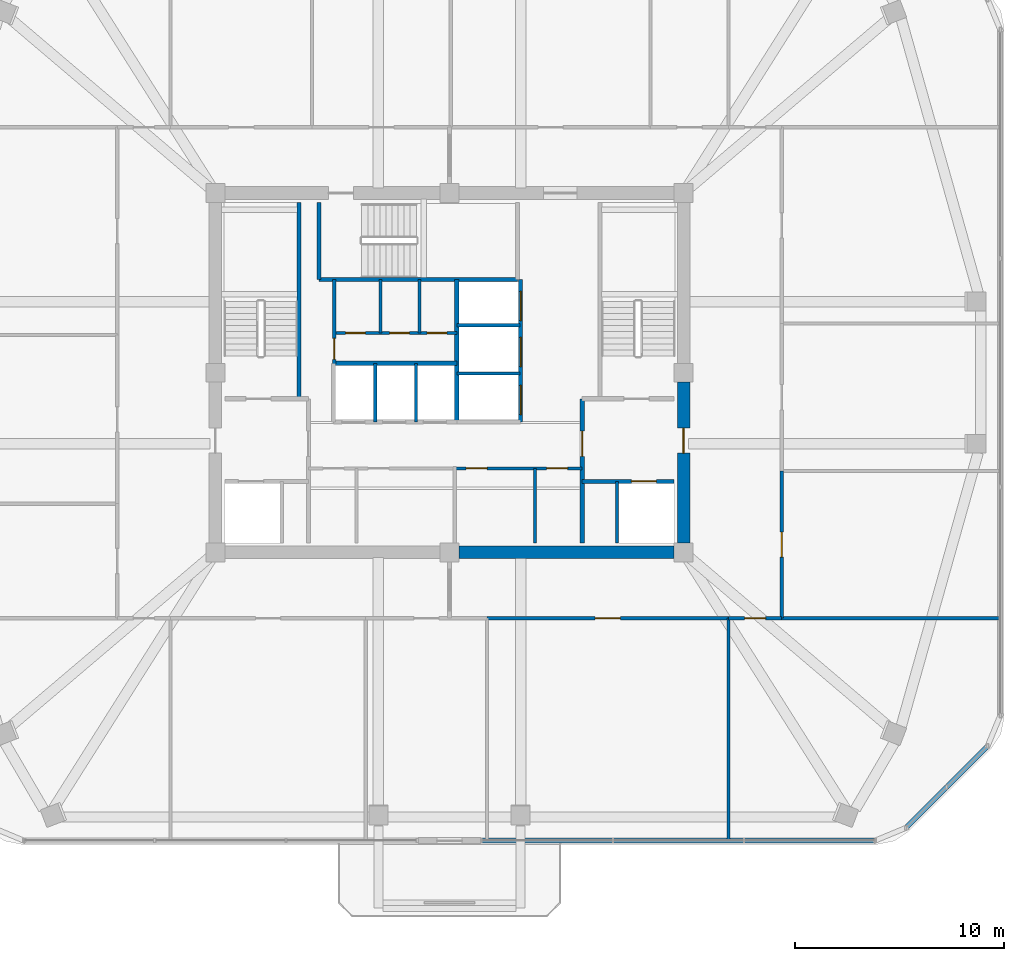
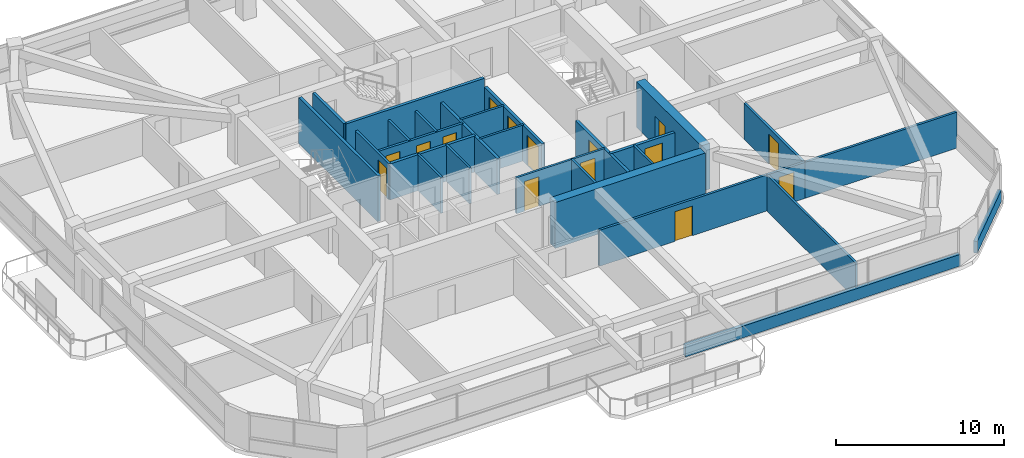
# One storey, part 9 of 13: 28 walls, 15 doors, 15 openings.
"""IFC4 building model written with IfcOpenShell, lengths in metres."""

from ifc_helpers import new_model, si_unit, derived_unit, direction, frame, frame_2d, origin, place, context, subcontext, project, spatial, rectangle, extrude, material, layer, layer_set, type_object, element, fill, save


model = new_model("IFC4")

# Units and contexts
model_context = context("Model", 3, precision=1e-05, world=origin(), true_north=direction((0.0, 1.0)))
body_context = subcontext(model_context, "Body", "Model", "MODEL_VIEW")
ifc_project = project(units=[si_unit("LENGTHUNIT", "METRE"), si_unit("AREAUNIT", "SQUARE_METRE"), si_unit("VOLUMEUNIT", "CUBIC_METRE"), si_unit("PLANEANGLEUNIT", "RADIAN"), si_unit("MASSUNIT", "GRAM", prefix="KILO"), derived_unit("THERMALTRANSMITTANCEUNIT", [(si_unit("POWERUNIT", "WATT"), 1), (si_unit("LENGTHUNIT", "METRE"), -2), (si_unit("THERMODYNAMICTEMPERATUREUNIT", "KELVIN"), -1)])], contexts=[model_context])

# Site, building, storey
site_placement = place(None, origin())
site = spatial("IfcSite", under=ifc_project, at=site_placement, CompositionType="ELEMENT")
building_placement = place(site_placement, origin())
building = spatial("IfcBuilding", under=site, at=building_placement, Name="Koralith Skygarden Medical Center", CompositionType="ELEMENT")
storey_placement = place(building_placement, frame((0.0, 0.0, 214.3798828125)))
storey = spatial("IfcBuildingStorey", under=building, at=storey_placement, Name="L55", CompositionType="ELEMENT", Elevation=214.3798828125)

# Wall, openings, doors
ifc_material_1 = material(Name="Gypsum Board Partition")
ifc_layer_1 = layer(ifc_material_1, 0.14990234375)
ifc_layer_set_1 = layer_set([ifc_layer_1], Name="Gypsum Board Partition")
wall_type_1 = type_object("IfcWallType", Name="Clinical Acoustic Partition 150", PredefinedType="PARTITIONING", material=ifc_layer_set_1)
wall_1_placement = place(storey_placement, frame((37.25, 21.320068359375, 0.0), z_axis=(0.0, 0.0, 1.0), x_axis=(1.0, 0.0, 0.0)))
wall_1 = element("IfcWall", 1, at=wall_1_placement, inside=storey, type_object=wall_type_1, Name="L55 Clinical Acoustic Partition 150 W-CORE-L55-FREED-MR-N", PredefinedType="PARTITIONING", context=body_context, shape_type="SweptSolid", body=[
    extrude(rectangle(XDim=6.10009765625, YDim=0.14990234375, at=frame_2d((3.050048828125, 0.0))), origin(), (0.0, 0.0, 1.0), 2.610107421875),
])
opening_1_placement = place(wall_1_placement, frame((0.550048828125, 0.0, 0.0)))
opening_1 = element("IfcOpeningElement", 2, at=opening_1_placement, cuts=wall_1, Name="Opening D-SUP", PredefinedType="OPENING", context=body_context, shape_type="SweptSolid", body=[
    extrude(rectangle(XDim=1.0, YDim=2.14990234375, at=frame_2d((0.5, 1.074951171875))), frame((0.0, 0.0849609375, 0.0), z_axis=(0.0, -1.0, 0.0), x_axis=(1.0, 0.0, 0.0)), (0.0, 0.0, 1.0), 0.169921875),
])
opening_2_placement = place(wall_1_placement, frame((4.39990234375, 0.0, 0.0)))
opening_2 = element("IfcOpeningElement", 3, at=opening_2_placement, cuts=wall_1, Name="Opening D-SUP", PredefinedType="OPENING", context=body_context, shape_type="SweptSolid", body=[
    extrude(rectangle(XDim=1.0, YDim=2.14990234375, at=frame_2d((0.5, 1.074951171875))), frame((0.0, 0.0849609375, 0.0), z_axis=(0.0, -1.0, 0.0), x_axis=(1.0, 0.0, 0.0)), (0.0, 0.0, 1.0), 0.169921875),
])
ifc_material_2 = material(Name="Aluminium 6063-T6", Category="aluminium")
door_type_1 = type_object("IfcDoorType", Name="Clinical Support Door D-SUP 1000", OperationType="NOTDEFINED", PredefinedType="DOOR", material=ifc_material_2)
door_1_placement = place(opening_1_placement, frame((1.0, 0.0, 0.0), z_axis=(0.0, 0.0, 1.0), x_axis=(-1.0, 0.0, 0.0)))
door_1 = element("IfcDoor", 4, at=door_1_placement, inside=storey, type_object=door_type_1, Name="L55 Satellite Pharmacy Door", OperationType="SINGLE_SWING_LEFT", OverallHeight=2.14990234375, OverallWidth=1.0, PredefinedType="DOOR", context=body_context, shape_type="SweptSolid", body=[
    extrude(rectangle(XDim=1.0, YDim=2.14990234375, at=frame_2d((0.5, 1.074951171875))), frame((0.0, 0.02490234375, 0.0), z_axis=(0.0, -1.0, 0.0), x_axis=(1.0, 0.0, 0.0)), (0.0, 0.0, 1.0), 0.050048828125),
])
fill(opening_1, door_1)
door_2_placement = place(opening_2_placement, frame((1.0, 0.0, 0.0), z_axis=(0.0, 0.0, 1.0), x_axis=(-1.0, 0.0, 0.0)))
door_2 = element("IfcDoor", 5, at=door_2_placement, inside=storey, type_object=door_type_1, Name="L55 Biomedical Equipment Door", OperationType="SINGLE_SWING_RIGHT", OverallHeight=2.14990234375, OverallWidth=1.0, PredefinedType="DOOR", context=body_context, shape_type="SweptSolid", body=[
    extrude(rectangle(XDim=1.0, YDim=2.14990234375, at=frame_2d((0.5, 1.074951171875))), frame((0.0, 0.02490234375, 0.0), z_axis=(0.0, -1.0, 0.0), x_axis=(1.0, 0.0, 0.0)), (0.0, 0.0, 1.0), 0.050048828125),
])
fill(opening_2, door_2)

# Walls
wall_2_placement = place(storey_placement, frame((41.10009765625, 17.75, 0.0), z_axis=(0.0, 0.0, 1.0), x_axis=(0.0, 1.0, 0.0)))
element("IfcWall", 6, at=wall_2_placement, inside=storey, type_object=wall_type_1, Name="L55 Clinical Acoustic Partition 150 W-CORE-L55-FREED-MR-M", PredefinedType="PARTITIONING", context=body_context, shape_type="SweptSolid", body=[
    extrude(rectangle(XDim=3.570068359375, YDim=0.14990234375, at=frame_2d((1.78515625, 0.0))), origin(), (0.0, 0.0, 1.0), 2.610107421875),
])
for number, where, z_axis, x_axis, name in (
    (7, (33.699951171875, 27.800048828125, 0.0), (0.0, 0.0, 1.0), (0.0, 1.0, 0.0), "L55 Clinical Acoustic Partition 150 W-CORE-L55-FLEX-V2A"),
    (8, (35.56005859375, 27.800048828125, 0.0), (0.0, 0.0, 1.0), (0.0, 1.0, 0.0), "L55 Clinical Acoustic Partition 150 W-CORE-L55-FLEX-V2B"),
):
    element("IfcWall", number, at=place(storey_placement, frame(where, z_axis=z_axis, x_axis=x_axis)), inside=storey, type_object=wall_type_1, Name=name, PredefinedType="PARTITIONING", context=body_context, shape_type="SweptSolid", body=[
        extrude(rectangle(XDim=2.56005859375, YDim=0.14990234375, at=frame_2d((1.280029296875, 0.0))), origin(), (0.0, 0.0, 1.0), 2.610107421875),
    ])
wall_3_placement = place(storey_placement, frame((50.35009765625, 14.14990234375, 0.0), z_axis=(0.0, 0.0, 1.0), x_axis=(0.0, -1.0, 0.0)))
element("IfcWall", 9, at=wall_3_placement, inside=storey, type_object=wall_type_1, Name="L55 Clinical Acoustic Partition 150 W-PART-L55-S-04", PredefinedType="PARTITIONING", context=body_context, shape_type="SweptSolid", body=[
    extrude(rectangle(XDim=10.618896484375, YDim=0.14990234375, at=frame_2d((5.3095703125, 0.0))), origin(), (0.0, 0.0, 1.0), 2.610107421875),
])
ifc_layer_2 = layer(ifc_material_1, 0.1650390625)
ifc_layer_set_2 = layer_set([ifc_layer_2], Name="Gypsum Board Partition")
wall_type_2 = type_object("IfcWallType", Name="Clinical Corridor Partition 165", PredefinedType="PARTITIONING", material=ifc_layer_set_2)
wall_4_placement = place(storey_placement, frame((52.89990234375, 14.14990234375, 0.0), z_axis=(0.0, 0.0, 1.0), x_axis=(1.0, 0.0, 0.0)))
element("IfcWall", 10, at=wall_4_placement, inside=storey, type_object=wall_type_2, Name="L55 Clinical Corridor Partition 165 W-WB-L55-SE", PredefinedType="PARTITIONING", context=body_context, shape_type="SweptSolid", body=[
    extrude(rectangle(XDim=10.43701171875, YDim=0.1650390625, at=frame_2d((5.218505859375, 0.0))), origin(), (0.0, 0.0, 1.0), 2.610107421875),
])

# Wall, opening, door
wall_5_placement = place(storey_placement, frame((38.800048828125, 14.14990234375, 0.0), z_axis=(0.0, 0.0, 1.0), x_axis=(1.0, 0.0, 0.0)))
wall_5 = element("IfcWall", 11, at=wall_5_placement, inside=storey, type_object=wall_type_2, Name="L55 Clinical Corridor Partition 165 W-CORR-L55-S-04", PredefinedType="PARTITIONING", context=body_context, shape_type="SweptSolid", body=[
    extrude(rectangle(XDim=11.550048828125, YDim=0.1650390625, at=frame_2d((5.77490234375, 0.0))), origin(), (0.0, 0.0, 1.0), 2.610107421875),
])
opening_3_placement = place(wall_5_placement, frame((5.175048828125, 0.0, 0.0)))
opening_3 = element("IfcOpeningElement", 12, at=opening_3_placement, cuts=wall_5, Name="Opening D-CLN", PredefinedType="OPENING", context=body_context, shape_type="SweptSolid", body=[
    extrude(rectangle(XDim=1.199951171875, YDim=2.14990234375, at=frame_2d((0.60009765625, 1.074951171875))), frame((0.0, 0.092529296875, 0.0), z_axis=(0.0, -1.0, 0.0), x_axis=(1.0, 0.0, 0.0)), (0.0, 0.0, 1.0), 0.18505859375),
])
door_type_2 = type_object("IfcDoorType", Name="Clinical Corridor Door D-CLN 1200", OperationType="NOTDEFINED", PredefinedType="DOOR", material=ifc_material_2)
door_3_placement = place(opening_3_placement, frame((1.199951171875, 0.0, 0.0), z_axis=(0.0, 0.0, 1.0), x_axis=(-1.0, 0.0, 0.0)))
door_3 = element("IfcDoor", 13, at=door_3_placement, inside=storey, type_object=door_type_2, Name="L55 Transplant Family Resource Lounge 10 Door", OperationType="SINGLE_SWING_LEFT", OverallHeight=2.14990234375, OverallWidth=1.199951171875, PredefinedType="DOOR", context=body_context, shape_type="SweptSolid", body=[
    extrude(rectangle(XDim=1.199951171875, YDim=2.14990234375, at=frame_2d((0.60009765625, 1.074951171875))), frame((0.0, 0.02490234375, 0.0), z_axis=(0.0, -1.0, 0.0), x_axis=(1.0, 0.0, 0.0)), (0.0, 0.0, 1.0), 0.050048828125),
])
fill(opening_3, door_3)

wall_6_placement = place(storey_placement, frame((50.35009765625, 14.14990234375, 0.0), z_axis=(0.0, 0.0, 1.0), x_axis=(1.0, 0.0, 0.0)))
wall_6 = element("IfcWall", 14, at=wall_6_placement, inside=storey, type_object=wall_type_2, Name="L55 Clinical Corridor Partition 165 W-CORR-L55-S-05", PredefinedType="PARTITIONING", context=body_context, shape_type="SweptSolid", body=[
    extrude(rectangle(XDim=2.5498046875, YDim=0.1650390625, at=frame_2d((1.27490234375, 0.0))), origin(), (0.0, 0.0, 1.0), 2.610107421875),
])
opening_4_placement = place(wall_6_placement, frame((0.77490234375, 0.0, 0.0)))
opening_4 = element("IfcOpeningElement", 15, at=opening_4_placement, cuts=wall_6, Name="Opening D-SUP", PredefinedType="OPENING", context=body_context, shape_type="SweptSolid", body=[
    extrude(rectangle(XDim=1.0, YDim=2.14990234375, at=frame_2d((0.5, 1.074951171875))), frame((0.0, 0.092529296875, 0.0), z_axis=(0.0, -1.0, 0.0), x_axis=(1.0, 0.0, 0.0)), (0.0, 0.0, 1.0), 0.18505859375),
])
door_4_placement = place(opening_4_placement, frame((1.0, 0.0, 0.0), z_axis=(0.0, 0.0, 1.0), x_axis=(-1.0, 0.0, 0.0)))
door_4 = element("IfcDoor", 16, at=door_4_placement, inside=storey, type_object=door_type_1, Name="L55 Transplant Selection Conference Room 11 Door", OperationType="SINGLE_SWING_RIGHT", OverallHeight=2.14990234375, OverallWidth=1.0, PredefinedType="DOOR", context=body_context, shape_type="SweptSolid", body=[
    extrude(rectangle(XDim=1.0, YDim=2.14990234375, at=frame_2d((0.5, 1.074951171875))), frame((0.0, 0.02490234375, 0.0), z_axis=(0.0, -1.0, 0.0), x_axis=(1.0, 0.0, 0.0)), (0.0, 0.0, 1.0), 0.050048828125),
])
fill(opening_4, door_4)

wall_7_placement = place(storey_placement, frame((52.89990234375, 14.14990234375, 0.0), z_axis=(0.0, 0.0, 1.0), x_axis=(0.0, 1.0, 0.0)))
wall_7 = element("IfcWall", 17, at=wall_7_placement, inside=storey, type_object=wall_type_2, Name="L55 Clinical Corridor Partition 165 W-CORR-L55-E-01", PredefinedType="PARTITIONING", context=body_context, shape_type="SweptSolid", body=[
    extrude(rectangle(XDim=7.050048828125, YDim=0.1650390625, at=frame_2d((3.52490234375, 0.0))), origin(), (0.0, 0.0, 1.0), 2.610107421875),
])
opening_5_placement = place(wall_7_placement, frame((2.925048828125, 0.0, 0.0)))
opening_5 = element("IfcOpeningElement", 18, at=opening_5_placement, cuts=wall_7, Name="Opening D-CLN", PredefinedType="OPENING", context=body_context, shape_type="SweptSolid", body=[
    extrude(rectangle(XDim=1.199951171875, YDim=2.14990234375, at=frame_2d((0.60009765625, 1.074951171875))), frame((0.0, 0.092529296875, 0.0), z_axis=(0.0, -1.0, 0.0), x_axis=(1.0, 0.0, 0.0)), (0.0, 0.0, 1.0), 0.18505859375),
])
door_5_placement = place(opening_5_placement, origin())
door_5 = element("IfcDoor", 19, at=door_5_placement, inside=storey, type_object=door_type_2, Name="L55 Transplant Family Resource Lounge 15 Door", OperationType="SINGLE_SWING_RIGHT", OverallHeight=2.14990234375, OverallWidth=1.199951171875, PredefinedType="DOOR", context=body_context, shape_type="SweptSolid", body=[
    extrude(rectangle(XDim=1.199951171875, YDim=2.14990234375, at=frame_2d((0.60009765625, 1.074951171875))), frame((0.0, 0.02490234375, 0.0), z_axis=(0.0, -1.0, 0.0), x_axis=(1.0, 0.0, 0.0)), (0.0, 0.0, 1.0), 0.050048828125),
])
fill(opening_5, door_5)

ifc_layer_3 = layer(ifc_material_1, 0.199951171875)
ifc_layer_set_3 = layer_set([ifc_layer_3], Name="Gypsum Board Partition")
wall_type_3 = type_object("IfcWallType", Name="Fire Shaft Wall 200", PredefinedType="SOLIDWALL", material=ifc_layer_set_3)
wall_8_placement = place(storey_placement, frame((43.35009765625, 20.699951171875, 0.0), z_axis=(0.0, 0.0, 1.0), x_axis=(1.0, 0.0, 0.0)))
wall_8 = element("IfcWall", 20, at=wall_8_placement, inside=storey, type_object=wall_type_3, Name="L55 Fire Shaft Wall 200 W-CORE-L55-FF2-N", PredefinedType="SOLIDWALL", context=body_context, shape_type="SweptSolid", body=[
    extrude(rectangle(XDim=4.39990234375, YDim=0.199951171875, at=frame_2d((2.199951171875, 0.0))), origin(), (0.0, 0.0, 1.0), 2.610107421875),
])
opening_6_placement = place(wall_8_placement, frame((2.35009765625, 0.0, 0.0)))
opening_6 = element("IfcOpeningElement", 21, at=opening_6_placement, cuts=wall_8, Name="Opening LD-FF", PredefinedType="OPENING", context=body_context, shape_type="SweptSolid", body=[
    extrude(rectangle(XDim=1.199951171875, YDim=2.14990234375, at=frame_2d((0.60009765625, 1.074951171875))), frame((0.0, 0.10986328125, 0.0), z_axis=(0.0, -1.0, 0.0), x_axis=(1.0, 0.0, 0.0)), (0.0, 0.0, 1.0), 0.219970703125),
])
ifc_material_3 = material(Name="Steel ASTM A500 Grade C", Category="steel")
door_type_3 = type_object("IfcDoorType", Name="Fire Lift Sliding Landing Door LD-FF 1200", OperationType="NOTDEFINED", PredefinedType="DOOR", material=ifc_material_3)
door_6_placement = place(opening_6_placement, origin())
door_6 = element("IfcDoor", 22, at=door_6_placement, inside=storey, type_object=door_type_3, Name="L55 Fire Service Elevator FF2 Landing Door", OperationType="SLIDING_TO_RIGHT", OverallHeight=2.14990234375, OverallWidth=1.199951171875, PredefinedType="DOOR", context=body_context, shape_type="SweptSolid", body=[
    extrude(rectangle(XDim=1.199951171875, YDim=2.14990234375, at=frame_2d((0.60009765625, 1.074951171875))), frame((0.0, 0.02490234375, 0.0), z_axis=(0.0, -1.0, 0.0), x_axis=(1.0, 0.0, 0.0)), (0.0, 0.0, 1.0), 0.050048828125),
])
fill(opening_6, door_6)

wall_9_placement = place(storey_placement, frame((43.35009765625, 17.75, 0.0), z_axis=(0.0, 0.0, 1.0), x_axis=(0.0, 1.0, 0.0)))
wall_9 = element("IfcWall", 23, at=wall_9_placement, inside=storey, type_object=wall_type_3, Name="L55 Fire Shaft Wall 200 W-CORE-L55-FSAEE-W", PredefinedType="SOLIDWALL", context=body_context, shape_type="SweptSolid", body=[
    extrude(rectangle(XDim=6.89990234375, YDim=0.199951171875, at=frame_2d((3.449951171875, 0.0))), origin(), (0.0, 0.0, 1.0), 2.610107421875),
])
opening_7_placement = place(wall_9_placement, frame((4.14990234375, 0.0, 0.0)))
opening_7 = element("IfcOpeningElement", 24, at=opening_7_placement, cuts=wall_9, Name="Opening D-ST60", PredefinedType="OPENING", context=body_context, shape_type="SweptSolid", body=[
    extrude(rectangle(XDim=1.199951171875, YDim=2.14990234375, at=frame_2d((0.60009765625, 1.074951171875))), frame((0.0, 0.10986328125, 0.0), z_axis=(0.0, -1.0, 0.0), x_axis=(1.0, 0.0, 0.0)), (0.0, 0.0, 1.0), 0.219970703125),
])
door_type_4 = type_object("IfcDoorType", Name="Smokeproof Stair Fire Door FD60S 1200", OperationType="NOTDEFINED", PredefinedType="DOOR", material=ifc_material_3)
door_7_placement = place(opening_7_placement, frame((1.199951171875, 0.0, 0.0), z_axis=(0.0, 0.0, 1.0), x_axis=(-1.0, 0.0, 0.0)))
door_7 = element("IfcDoor", 25, at=door_7_placement, inside=storey, type_object=door_type_4, Name="L55 East Firefighting Lobby Inner Fire Door", OperationType="SINGLE_SWING_RIGHT", OverallHeight=2.14990234375, OverallWidth=1.199951171875, PredefinedType="DOOR", context=body_context, shape_type="SweptSolid", body=[
    extrude(rectangle(XDim=1.199951171875, YDim=2.14990234375, at=frame_2d((0.60009765625, 1.074951171875))), frame((0.0, 0.02490234375, 0.0), z_axis=(0.0, -1.0, 0.0), x_axis=(1.0, 0.0, 0.0)), (0.0, 0.0, 1.0), 0.050048828125),
])
fill(opening_7, door_7)

# Walls
wall_10_placement = place(storey_placement, frame((31.449951171875, 26.35009765625, 0.0), z_axis=(0.0, 0.0, 1.0), x_axis=(1.0, 0.0, 0.0)))
element("IfcWall", 26, at=wall_10_placement, inside=storey, type_object=wall_type_3, Name="L55 Fire Shaft Wall 200 W-CORE-L55-PH-N", PredefinedType="SOLIDWALL", context=body_context, shape_type="SweptSolid", body=[
    extrude(rectangle(XDim=5.900146484375, YDim=0.199951171875, at=frame_2d((2.9501953125, 0.0))), origin(), (0.0, 0.0, 1.0), 2.610107421875),
])
wall_11_placement = place(storey_placement, frame((37.35009765625, 23.5400390625, 0.0), z_axis=(0.0, 0.0, 1.0), x_axis=(0.0, 1.0, 0.0)))
element("IfcWall", 27, at=wall_11_placement, inside=storey, type_object=wall_type_3, Name="L55 Fire Shaft Wall 200 W-CORE-L55-SV-W", PredefinedType="SOLIDWALL", context=body_context, shape_type="SweptSolid", body=[
    extrude(rectangle(XDim=6.820068359375, YDim=0.199951171875, at=frame_2d((3.41015625, 0.0))), origin(), (0.0, 0.0, 1.0), 2.610107421875),
])

# Wall, openings, doors
wall_12_placement = place(storey_placement, frame((40.39990234375, 23.5400390625, 0.0), z_axis=(0.0, 0.0, 1.0), x_axis=(0.0, 1.0, 0.0)))
wall_12 = element("IfcWall", 28, at=wall_12_placement, inside=storey, type_object=wall_type_3, Name="L55 Fire Shaft Wall 200 W-CORE-L55-SV-E", PredefinedType="SOLIDWALL", context=body_context, shape_type="SweptSolid", body=[
    extrude(rectangle(XDim=6.820068359375, YDim=0.199951171875, at=frame_2d((3.41015625, 0.0))), origin(), (0.0, 0.0, 1.0), 2.610107421875),
])
opening_8_placement = place(wall_12_placement, frame((0.35009765625, 0.0, 0.0)))
opening_8 = element("IfcOpeningElement", 29, at=opening_8_placement, cuts=wall_12, Name="Opening LD-SV", PredefinedType="OPENING", context=body_context, shape_type="SweptSolid", body=[
    extrude(rectangle(XDim=1.39990234375, YDim=2.199951171875, at=frame_2d((0.699951171875, 1.10009765625))), frame((0.0, 0.10986328125, 0.0), z_axis=(0.0, -1.0, 0.0), x_axis=(1.0, 0.0, 0.0)), (0.0, 0.0, 1.0), 0.219970703125),
])
opening_9_placement = place(wall_12_placement, frame((2.64990234375, 0.0, 0.0)))
opening_9 = element("IfcOpeningElement", 30, at=opening_9_placement, cuts=wall_12, Name="Opening LD-SV", PredefinedType="OPENING", context=body_context, shape_type="SweptSolid", body=[
    extrude(rectangle(XDim=1.39990234375, YDim=2.199951171875, at=frame_2d((0.699951171875, 1.10009765625))), frame((0.0, 0.10986328125, 0.0), z_axis=(0.0, -1.0, 0.0), x_axis=(1.0, 0.0, 0.0)), (0.0, 0.0, 1.0), 0.219970703125),
])
opening_10_placement = place(wall_12_placement, frame((4.85009765625, 0.0, 0.0)))
opening_10 = element("IfcOpeningElement", 31, at=opening_10_placement, cuts=wall_12, Name="Opening LD-SV", PredefinedType="OPENING", context=body_context, shape_type="SweptSolid", body=[
    extrude(rectangle(XDim=1.39990234375, YDim=2.199951171875, at=frame_2d((0.699951171875, 1.10009765625))), frame((0.0, 0.10986328125, 0.0), z_axis=(0.0, -1.0, 0.0), x_axis=(1.0, 0.0, 0.0)), (0.0, 0.0, 1.0), 0.219970703125),
])
door_type_5 = type_object("IfcDoorType", Name="Bed Lift Sliding Landing Door LD-SV 1400", OperationType="NOTDEFINED", PredefinedType="DOOR", material=ifc_material_3)
door_8_placement = place(opening_8_placement, origin())
door_8 = element("IfcDoor", 32, at=door_8_placement, inside=storey, type_object=door_type_5, Name="L55 Bed Elevator BD1 Landing Door", OperationType="SLIDING_TO_LEFT", OverallHeight=2.199951171875, OverallWidth=1.39990234375, PredefinedType="DOOR", context=body_context, shape_type="SweptSolid", body=[
    extrude(rectangle(XDim=1.39990234375, YDim=2.199951171875, at=frame_2d((0.699951171875, 1.10009765625))), frame((0.0, 0.02490234375, 0.0), z_axis=(0.0, -1.0, 0.0), x_axis=(1.0, 0.0, 0.0)), (0.0, 0.0, 1.0), 0.050048828125),
])
fill(opening_8, door_8)
door_9_placement = place(opening_9_placement, origin())
door_9 = element("IfcDoor", 33, at=door_9_placement, inside=storey, type_object=door_type_5, Name="L55 Service Elevator BD2 Landing Door", OperationType="SLIDING_TO_LEFT", OverallHeight=2.199951171875, OverallWidth=1.39990234375, PredefinedType="DOOR", context=body_context, shape_type="SweptSolid", body=[
    extrude(rectangle(XDim=1.39990234375, YDim=2.199951171875, at=frame_2d((0.699951171875, 1.10009765625))), frame((0.0, 0.02490234375, 0.0), z_axis=(0.0, -1.0, 0.0), x_axis=(1.0, 0.0, 0.0)), (0.0, 0.0, 1.0), 0.050048828125),
])
fill(opening_9, door_9)
door_10_placement = place(opening_10_placement, origin())
door_10 = element("IfcDoor", 34, at=door_10_placement, inside=storey, type_object=door_type_5, Name="L55 Trauma Elevator TR1 Landing Door", OperationType="SLIDING_TO_RIGHT", OverallHeight=2.199951171875, OverallWidth=1.39990234375, PredefinedType="DOOR", context=body_context, shape_type="SweptSolid", body=[
    extrude(rectangle(XDim=1.39990234375, YDim=2.199951171875, at=frame_2d((0.699951171875, 1.10009765625))), frame((0.0, 0.02490234375, 0.0), z_axis=(0.0, -1.0, 0.0), x_axis=(1.0, 0.0, 0.0)), (0.0, 0.0, 1.0), 0.050048828125),
])
fill(opening_10, door_10)

# Walls
ifc_material_4 = material(Name="Warm Oolitic Limestone Cladding", Category="masonry")
ifc_layer_4 = layer(ifc_material_4, 0.239990234375)
ifc_layer_set_4 = layer_set([ifc_layer_4], Name="Warm Oolitic Limestone Cladding")
wall_type_4 = type_object("IfcWallType", Name="Limestone Spandrel Sill Backup Wall 240", PredefinedType="SOLIDWALL", material=ifc_layer_set_4)
wall_13_placement = place(storey_placement, frame((38.5390625, 3.510986328125, 0.0), z_axis=(0.0, 0.0, 1.0), x_axis=(1.0, 0.0, 0.0)))
element("IfcWall", 35, at=wall_13_placement, inside=storey, type_object=wall_type_4, Name="L55 Sill Spandrel S-R", PredefinedType="SOLIDWALL", context=body_context, shape_type="SweptSolid", body=[
    extrude(rectangle(XDim=18.843017578125, YDim=0.239990234375, at=frame_2d((9.42138671875, 0.0))), origin(), (0.0, 0.0, 1.0), 0.85009765625),
])
wall_14_placement = place(storey_placement, frame((58.8330078125, 4.113037109375, 0.0), z_axis=(0.0, 0.0, 1.0), x_axis=(0.707128783731, 0.707084777957, 0.0)))
element("IfcWall", 36, at=wall_14_placement, inside=storey, type_object=wall_type_4, Name="L55 Sill Spandrel SE", PredefinedType="SOLIDWALL", context=body_context, shape_type="SweptSolid", body=[
    extrude(rectangle(XDim=5.5478515625, YDim=0.239990234375, at=frame_2d((2.77392578125, 0.0))), origin(), (0.0, 0.0, 1.0), 0.85009765625),
])

# Wall, opening, door
ifc_layer_5 = layer(ifc_material_1, 0.1650390625)
ifc_layer_set_5 = layer_set([ifc_layer_5], Name="Gypsum Board Partition")
wall_type_5 = type_object("IfcWallType", Name="Plumbing Wet Wall 165", PredefinedType="PLUMBINGWALL", material=ifc_layer_set_5)
wall_15_placement = place(storey_placement, frame((31.47998046875, 26.320068359375, 0.0), z_axis=(0.0, 0.0, 1.0), x_axis=(0.0, 1.0, 0.0)))
wall_15 = element("IfcWall", 37, at=wall_15_placement, inside=storey, type_object=wall_type_5, Name="L55 Plumbing Wet Wall 165 W-CORE-L55-FLEX-W", PredefinedType="PLUMBINGWALL", context=body_context, shape_type="SweptSolid", body=[
    extrude(rectangle(XDim=4.0400390625, YDim=0.1650390625, at=frame_2d((2.02001953125, 0.0))), origin(), (0.0, 0.0, 1.0), 2.610107421875),
])
opening_11_placement = place(wall_15_placement, frame((0.219970703125, 0.0, 0.0)))
opening_11 = element("IfcOpeningElement", 38, at=opening_11_placement, cuts=wall_15, Name="Opening D-SUP", PredefinedType="OPENING", context=body_context, shape_type="SweptSolid", body=[
    extrude(rectangle(XDim=1.0, YDim=2.14990234375, at=frame_2d((0.5, 1.074951171875))), frame((0.0, 0.092529296875, 0.0), z_axis=(0.0, -1.0, 0.0), x_axis=(1.0, 0.0, 0.0)), (0.0, 0.0, 1.0), 0.18505859375),
])
door_11_placement = place(opening_11_placement, frame((1.0, 0.0, 0.0), z_axis=(0.0, 0.0, 1.0), x_axis=(-1.0, 0.0, 0.0)))
door_11 = element("IfcDoor", 39, at=door_11_placement, inside=storey, type_object=door_type_1, Name="L55 Core Service Alcove Door", OperationType="SINGLE_SWING_LEFT", OverallHeight=2.14990234375, OverallWidth=1.0, PredefinedType="DOOR", context=body_context, shape_type="SweptSolid", body=[
    extrude(rectangle(XDim=1.0, YDim=2.14990234375, at=frame_2d((0.5, 1.074951171875))), frame((0.0, 0.02490234375, 0.0), z_axis=(0.0, -1.0, 0.0), x_axis=(1.0, 0.0, 0.0)), (0.0, 0.0, 1.0), 0.050048828125),
])
fill(opening_11, door_11)

# Wall, openings, doors
wall_16_placement = place(storey_placement, frame((31.47998046875, 27.800048828125, 0.0), z_axis=(0.0, 0.0, 1.0), x_axis=(1.0, 0.0, 0.0)))
wall_16 = element("IfcWall", 40, at=wall_16_placement, inside=storey, type_object=wall_type_5, Name="L55 Plumbing Wet Wall 165 W-CORE-L55-FLEX-H2", PredefinedType="PLUMBINGWALL", context=body_context, shape_type="SweptSolid", body=[
    extrude(rectangle(XDim=5.8701171875, YDim=0.1650390625, at=frame_2d((2.93505859375, 0.0))), origin(), (0.0, 0.0, 1.0), 2.610107421875),
])
opening_12_placement = place(wall_16_placement, frame((0.550048828125, 0.0, 0.0)))
opening_12 = element("IfcOpeningElement", 41, at=opening_12_placement, cuts=wall_16, Name="Opening D-WC", PredefinedType="OPENING", context=body_context, shape_type="SweptSolid", body=[
    extrude(rectangle(XDim=0.949951171875, YDim=2.10009765625, at=frame_2d((0.47509765625, 1.050048828125))), frame((0.0, 0.092529296875, 0.0), z_axis=(0.0, -1.0, 0.0), x_axis=(1.0, 0.0, 0.0)), (0.0, 0.0, 1.0), 0.18505859375),
])
opening_13_placement = place(wall_16_placement, frame((2.64990234375, 0.0, 0.0)))
opening_13 = element("IfcOpeningElement", 42, at=opening_13_placement, cuts=wall_16, Name="Opening D-WC", PredefinedType="OPENING", context=body_context, shape_type="SweptSolid", body=[
    extrude(rectangle(XDim=0.949951171875, YDim=2.10009765625, at=frame_2d((0.47509765625, 1.050048828125))), frame((0.0, 0.092529296875, 0.0), z_axis=(0.0, -1.0, 0.0), x_axis=(1.0, 0.0, 0.0)), (0.0, 0.0, 1.0), 0.18505859375),
])
opening_14_placement = place(wall_16_placement, frame((4.449951171875, 0.0, 0.0)))
opening_14 = element("IfcOpeningElement", 43, at=opening_14_placement, cuts=wall_16, Name="Opening D-WC", PredefinedType="OPENING", context=body_context, shape_type="SweptSolid", body=[
    extrude(rectangle(XDim=0.949951171875, YDim=2.10009765625, at=frame_2d((0.47509765625, 1.050048828125))), frame((0.0, 0.092529296875, 0.0), z_axis=(0.0, -1.0, 0.0), x_axis=(1.0, 0.0, 0.0)), (0.0, 0.0, 1.0), 0.18505859375),
])
door_type_6 = type_object("IfcDoorType", Name="Accessible Toilet Door D-WC 950", OperationType="NOTDEFINED", PredefinedType="DOOR", material=ifc_material_2)
door_12_placement = place(opening_12_placement, origin())
door_12 = element("IfcDoor", 44, at=door_12_placement, inside=storey, type_object=door_type_6, Name="L55 Core Accessible WC Door", OperationType="SINGLE_SWING_LEFT", OverallHeight=2.10009765625, OverallWidth=0.949951171875, PredefinedType="DOOR", context=body_context, shape_type="SweptSolid", body=[
    extrude(rectangle(XDim=0.949951171875, YDim=2.10009765625, at=frame_2d((0.47509765625, 1.050048828125))), frame((0.0, 0.02490234375, 0.0), z_axis=(0.0, -1.0, 0.0), x_axis=(1.0, 0.0, 0.0)), (0.0, 0.0, 1.0), 0.050048828125),
])
fill(opening_12, door_12)
door_13_placement = place(opening_13_placement, origin())
door_13 = element("IfcDoor", 45, at=door_13_placement, inside=storey, type_object=door_type_6, Name="L55 Soiled Sluice Door", OperationType="SINGLE_SWING_LEFT", OverallHeight=2.10009765625, OverallWidth=0.949951171875, PredefinedType="DOOR", context=body_context, shape_type="SweptSolid", body=[
    extrude(rectangle(XDim=0.949951171875, YDim=2.10009765625, at=frame_2d((0.47509765625, 1.050048828125))), frame((0.0, 0.02490234375, 0.0), z_axis=(0.0, -1.0, 0.0), x_axis=(1.0, 0.0, 0.0)), (0.0, 0.0, 1.0), 0.050048828125),
])
fill(opening_13, door_13)
door_14_placement = place(opening_14_placement, origin())
door_14 = element("IfcDoor", 46, at=door_14_placement, inside=storey, type_object=door_type_6, Name="L55 Clean Linen Store Door", OperationType="SINGLE_SWING_RIGHT", OverallHeight=2.10009765625, OverallWidth=0.949951171875, PredefinedType="DOOR", context=body_context, shape_type="SweptSolid", body=[
    extrude(rectangle(XDim=0.949951171875, YDim=2.10009765625, at=frame_2d((0.47509765625, 1.050048828125))), frame((0.0, 0.02490234375, 0.0), z_axis=(0.0, -1.0, 0.0), x_axis=(1.0, 0.0, 0.0)), (0.0, 0.0, 1.0), 0.050048828125),
])
fill(opening_14, door_14)

# Walls
ifc_layer_6 = layer(ifc_material_1, 0.14990234375)
ifc_layer_set_6 = layer_set([ifc_layer_6], Name="Gypsum Board Partition")
wall_type_6 = type_object("IfcWallType", Name="Shaft Partition Wall 150", PredefinedType="PARTITIONING", material=ifc_layer_set_6)
wall_17_placement = place(storey_placement, frame((45.02001953125, 17.75, 0.0), z_axis=(0.0, 0.0, 1.0), x_axis=(0.0, 1.0, 0.0)))
element("IfcWall", 47, at=wall_17_placement, inside=storey, type_object=wall_type_6, Name="L55 Shaft Partition Wall 150 W-CORE-L55-RSRE-DIV", PredefinedType="PARTITIONING", context=body_context, shape_type="SweptSolid", body=[
    extrude(rectangle(XDim=2.949951171875, YDim=0.14990234375, at=frame_2d((1.47509765625, 0.0))), origin(), (0.0, 0.0, 1.0), 2.610107421875),
])
for number, where, z_axis, x_axis, name in (
    (48, (33.449951171875, 23.5400390625, 0.0), (0.0, 0.0, 1.0), (0.0, 1.0, 0.0), "L55 Shaft Partition Wall 150 W-CORE-L55-PH-D1"),
    (49, (35.39990234375, 23.5400390625, 0.0), (0.0, 0.0, 1.0), (0.0, 1.0, 0.0), "L55 Shaft Partition Wall 150 W-CORE-L55-PH-D2"),
):
    element("IfcWall", number, at=place(storey_placement, frame(where, z_axis=z_axis, x_axis=x_axis)), inside=storey, type_object=wall_type_6, Name=name, PredefinedType="PARTITIONING", context=body_context, shape_type="SweptSolid", body=[
        extrude(rectangle(XDim=2.81005859375, YDim=0.14990234375, at=frame_2d((1.405029296875, 0.0))), origin(), (0.0, 0.0, 1.0), 2.610107421875),
    ])
for number, where, z_axis, x_axis, name in (
    (50, (37.3701171875, 25.8701171875, 0.0), (0.0, 0.0, 1.0), (1.0, 0.0, 0.0), "L55 Shaft Partition Wall 150 W-CORE-L55-SV-D1"),
    (51, (37.3701171875, 28.169921875, 0.0), (0.0, 0.0, 1.0), (1.0, 0.0, 0.0), "L55 Shaft Partition Wall 150 W-CORE-L55-SV-D2"),
):
    element("IfcWall", number, at=place(storey_placement, frame(where, z_axis=z_axis, x_axis=x_axis)), inside=storey, type_object=wall_type_6, Name=name, PredefinedType="PARTITIONING", context=body_context, shape_type="SweptSolid", body=[
        extrude(rectangle(XDim=3.009765625, YDim=0.14990234375, at=frame_2d((1.5048828125, 0.0))), origin(), (0.0, 0.0, 1.0), 2.610107421875),
    ])
ifc_material_5 = material(Name="Concrete C45/55", Category="concrete")
ifc_layer_7 = layer(ifc_material_5, 0.199951171875)
ifc_layer_set_7 = layer_set([ifc_layer_7], Name="Concrete C45/55")
wall_type_7 = type_object("IfcWallType", Name="Structural Stair Shaft Wall 200", PredefinedType="SHEAR", material=ifc_layer_set_7)
wall_18_placement = place(storey_placement, frame((29.800048828125, 24.64990234375, 0.0), z_axis=(0.0, 0.0, 1.0), x_axis=(0.0, 1.0, 0.0)))
element("IfcWall", 52, at=wall_18_placement, inside=storey, type_object=wall_type_7, Name="L55 Structural Stair Shaft Wall 200 W-CORE-L55-ST1-E", PredefinedType="SHEAR", context=body_context, shape_type="SweptSolid", body=[
    extrude(rectangle(XDim=9.400146484375, YDim=0.199951171875, at=frame_2d((4.7001953125, 0.0))), origin(), (0.0, 0.0, 1.0), 3.320068359375),
])
wall_19_placement = place(storey_placement, frame((30.75, 30.360107421875, 0.0), z_axis=(0.0, 0.0, 1.0), x_axis=(1.0, 0.0, 0.0)))
element("IfcWall", 53, at=wall_19_placement, inside=storey, type_object=wall_type_7, Name="L55 Structural Stair Shaft Wall 200 W-CORE-L55-ST3-S", PredefinedType="SHEAR", context=body_context, shape_type="SweptSolid", body=[
    extrude(rectangle(XDim=9.5, YDim=0.199951171875, at=frame_2d((4.75, 0.0))), origin(), (0.0, 0.0, 1.0), 3.320068359375),
])
wall_20_placement = place(storey_placement, frame((30.75, 30.360107421875, 0.0), z_axis=(0.0, 0.0, 1.0), x_axis=(0.0, 1.0, 0.0)))
element("IfcWall", 54, at=wall_20_placement, inside=storey, type_object=wall_type_7, Name="L55 Structural Stair Shaft Wall 200 W-CORE-L55-ST3-W", PredefinedType="SHEAR", context=body_context, shape_type="SweptSolid", body=[
    extrude(rectangle(XDim=3.68994140625, YDim=0.199951171875, at=frame_2d((1.844970703125, 0.0))), origin(), (0.0, 0.0, 1.0), 3.320068359375),
])
ifc_material_6 = material(Name="Concrete C55/67", Category="concrete")
ifc_layer_8 = layer(ifc_material_6, 0.60009765625)
ifc_layer_set_8 = layer_set([ifc_layer_8], Name="Concrete C55/67")
wall_type_8 = type_object("IfcWallType", Name="Upper Core Shear Wall 600", PredefinedType="SHEAR", material=ifc_layer_set_8)
wall_21_placement = place(storey_placement, frame((37.445068359375, 17.300048828125, 0.0), z_axis=(0.0, 0.0, 1.0), x_axis=(1.0, 0.0, 0.0)))
element("IfcWall", 55, at=wall_21_placement, inside=storey, type_object=wall_type_8, Name="L55 Core Shear Wall Segment 2", PredefinedType="SHEAR", context=body_context, shape_type="SweptSolid", body=[
    extrude(rectangle(XDim=10.309814453125, YDim=0.60009765625, at=frame_2d((5.15478515625, 0.0))), origin(), (0.0, 0.0, 1.0), 3.320068359375),
])

# Wall, opening, door
wall_22_placement = place(storey_placement, frame((48.199951171875, 17.7451171875, 0.0), z_axis=(0.0, 0.0, 1.0), x_axis=(0.0, 1.0, 0.0)))
wall_22 = element("IfcWall", 56, at=wall_22_placement, inside=storey, type_object=wall_type_8, Name="L55 Core Shear Wall Segment 3", PredefinedType="SHEAR", context=body_context, shape_type="SweptSolid", body=[
    extrude(rectangle(XDim=7.7099609375, YDim=0.60009765625, at=frame_2d((3.85498046875, 0.0))), origin(), (0.0, 0.0, 1.0), 3.320068359375),
])
opening_15_placement = place(wall_22_placement, frame((4.304931640625, 0.0, 0.0)))
opening_15 = element("IfcOpeningElement", 57, at=opening_15_placement, cuts=wall_22, Name="Opening D-ST60", PredefinedType="OPENING", context=body_context, shape_type="SweptSolid", body=[
    extrude(rectangle(XDim=1.199951171875, YDim=2.14990234375, at=frame_2d((0.60009765625, 1.074951171875))), frame((0.0, 0.31005859375, 0.0), z_axis=(0.0, -1.0, 0.0), x_axis=(1.0, 0.0, 0.0)), (0.0, 0.0, 1.0), 0.6201171875),
])
door_15_placement = place(opening_15_placement, frame((1.199951171875, 0.0, 0.0), z_axis=(0.0, 0.0, 1.0), x_axis=(-1.0, 0.0, 0.0)))
door_15 = element("IfcDoor", 58, at=door_15_placement, inside=storey, type_object=door_type_4, Name="L55 East Corridor to Firefighting Lobby Door", OperationType="SINGLE_SWING_RIGHT", OverallHeight=2.14990234375, OverallWidth=1.199951171875, PredefinedType="DOOR", context=body_context, shape_type="SweptSolid", body=[
    extrude(rectangle(XDim=1.199951171875, YDim=2.14990234375, at=frame_2d((0.60009765625, 1.074951171875))), frame((0.0, 0.02490234375, 0.0), z_axis=(0.0, -1.0, 0.0), x_axis=(1.0, 0.0, 0.0)), (0.0, 0.0, 1.0), 0.050048828125),
])
fill(opening_15, door_15)

save(model, "model.ifc")
